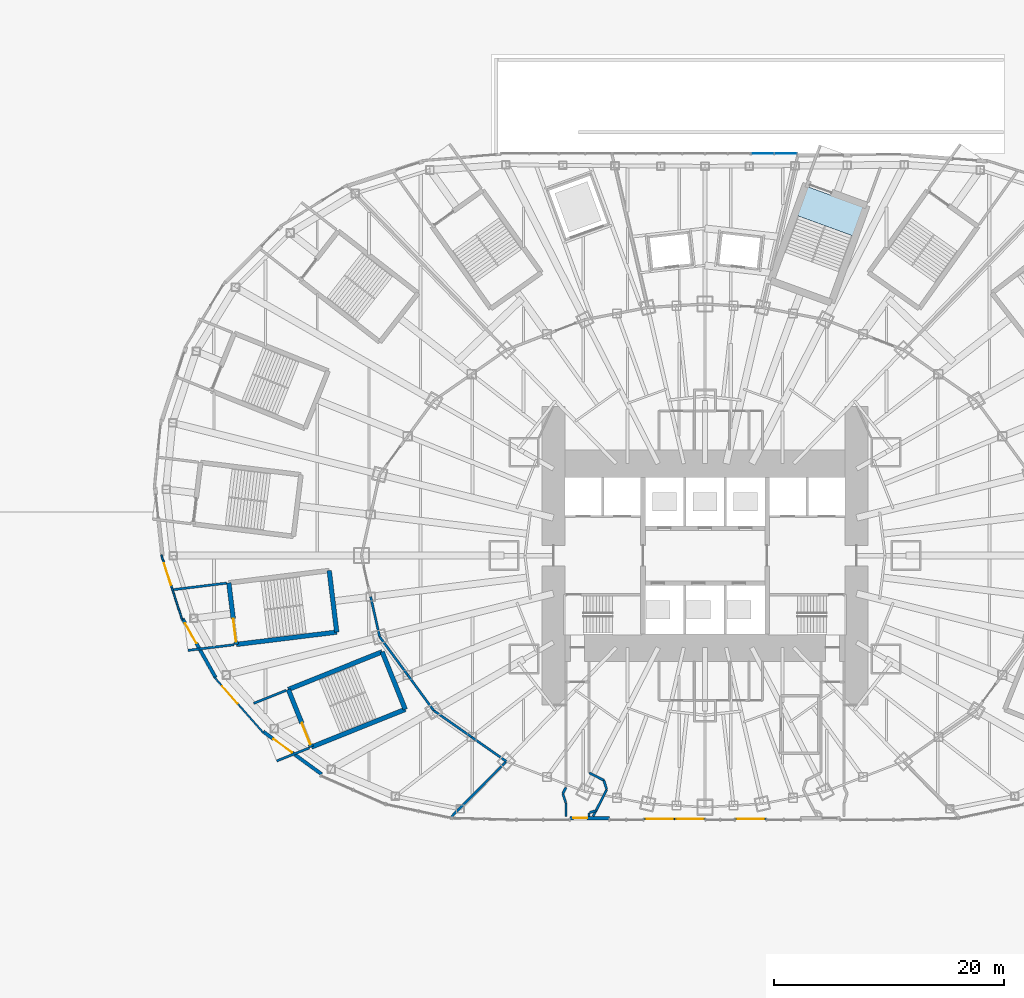
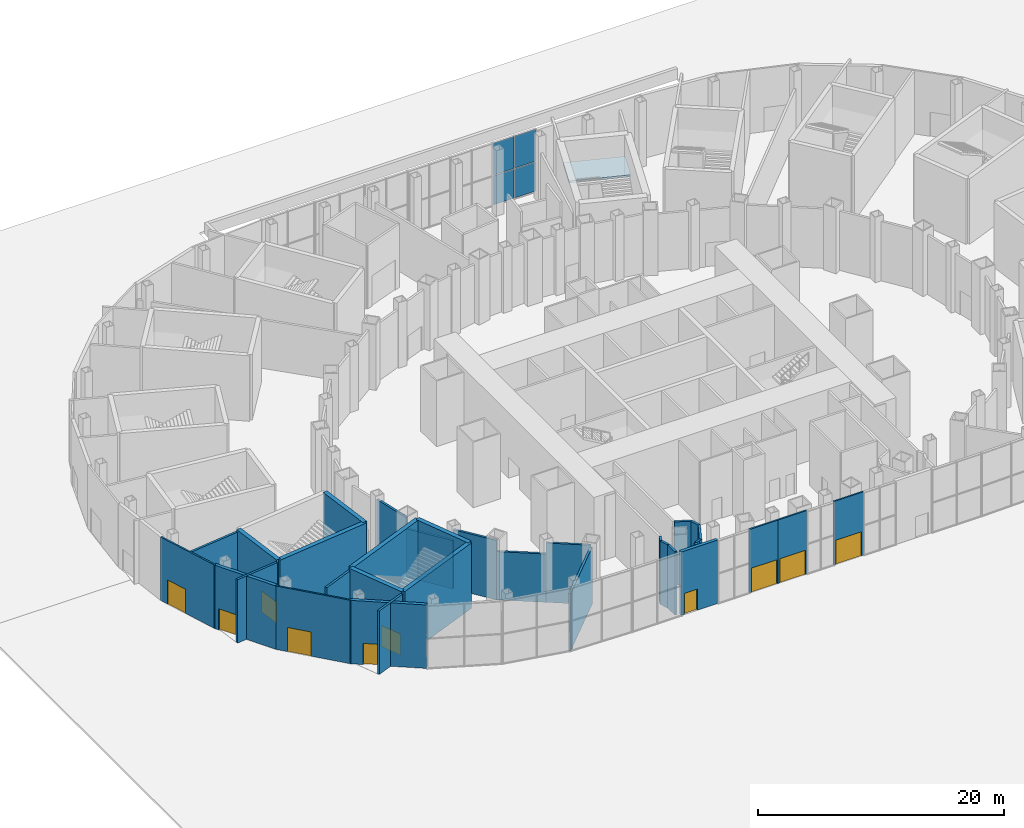
# One storey, part 16 of 47: 33 walls, 10 doors, 4 plates, 1 slab, 10 openings, 2 elements without a shape of their own.
"""IFC4 building model written with IfcOpenShell, lengths in metres."""

from ifc_helpers import new_model, si_unit, direction, frame, frame_2d, origin, origin_2d, place, context, subcontext, project, spatial, polyline, rectangle, outline, extrude, material, layer, layer_set, type_object, element, fill, aggregate, save


model = new_model("IFC4")

# Units and contexts
model_context = context("Model", 3, precision=1e-05, world=origin(), true_north=direction((0.0, 1.0)))
body_context = subcontext(model_context, "Body", "Model", "MODEL_VIEW")
ifc_project = project(units=[si_unit("LENGTHUNIT", "METRE"), si_unit("AREAUNIT", "SQUARE_METRE"), si_unit("VOLUMEUNIT", "CUBIC_METRE"), si_unit("PLANEANGLEUNIT", "RADIAN"), si_unit("MASSUNIT", "GRAM", prefix="KILO")], contexts=[model_context])

# Site, building, storey
site_placement = place(None, origin())
site = spatial("IfcSite", under=ifc_project, at=site_placement, CompositionType="ELEMENT")
building_placement = place(site_placement, origin())
building = spatial("IfcBuilding", under=site, at=building_placement, Name="Lantaw Convention Tower", CompositionType="ELEMENT")
storey_placement = place(building_placement, origin())
storey = spatial("IfcBuildingStorey", under=building, at=storey_placement, Name="L00", CompositionType="ELEMENT", Elevation=0.0)

# Curtain wall, plates
ifc_material_1 = material(Name="Aluminium framed curtain wall", Category="aluminium")
curtain_wall_type = type_object("IfcCurtainWallType", Name="Podium storefront curtain wall, pale aluminium", PredefinedType="USERDEFINED", material=ifc_material_1)
curtain_wall_placement = place(storey_placement, origin())
curtain_wall = element("IfcCurtainWall", 1, at=curtain_wall_placement, inside=storey, type_object=curtain_wall_type, Name="Podium storefront curtain wall, pale aluminium L00", ObjectType="STOREFRONT", PredefinedType="USERDEFINED")
ifc_material_2 = material(Name="Laminated clear glass", Category="glass")
ifc_layer_1 = layer(ifc_material_2, 0.031982421875)
ifc_layer_set_1 = layer_set([ifc_layer_1], Name="CW-P panel 32")
plate_type = type_object("IfcPlateType", Name="CW-P panel 32", PredefinedType="CURTAIN_PANEL", material=ifc_layer_set_1)
plate_1_placement = place(storey_placement, frame((7.037109375, 35.0, 0.080078125), z_axis=(0.0, 0.0, 1.0), x_axis=(-1.0, 0.0, 0.0)))
plate_1 = element("IfcPlate", 2, at=plate_1_placement, type_object=plate_type, Name="CW-P panel 1.1", PredefinedType="CURTAIN_PANEL", context=body_context, shape_type="SweptSolid", body=[
    extrude(rectangle(XDim=1.92626953125, YDim=0.031982421875, at=origin_2d()), origin(), (0.0, 0.0, 1.0), 2.8798828125),
])
plate_2_placement = place(storey_placement, frame((7.037109375, 35.0, 3.0400390625), z_axis=(0.0, 0.0, 1.0), x_axis=(-1.0, 0.0, 0.0)))
plate_2 = element("IfcPlate", 3, at=plate_2_placement, type_object=plate_type, Name="CW-P panel 1.2", PredefinedType="CURTAIN_PANEL", context=body_context, shape_type="SweptSolid", body=[
    extrude(rectangle(XDim=1.92626953125, YDim=0.031982421875, at=origin_2d()), origin(), (0.0, 0.0, 1.0), 3.179931640625),
])
plate_3_placement = place(storey_placement, frame((5.031005859375, 35.0, 0.080078125), z_axis=(0.0, 0.0, 1.0), x_axis=(-1.0, 0.0, 0.0)))
plate_3 = element("IfcPlate", 4, at=plate_3_placement, type_object=plate_type, Name="CW-P panel 2.1", PredefinedType="CURTAIN_PANEL", context=body_context, shape_type="SweptSolid", body=[
    extrude(rectangle(XDim=1.92626953125, YDim=0.031982421875, at=origin_2d()), origin(), (0.0, 0.0, 1.0), 2.8798828125),
])
plate_4_placement = place(storey_placement, frame((5.031005859375, 35.0, 3.0400390625), z_axis=(0.0, 0.0, 1.0), x_axis=(-1.0, 0.0, 0.0)))
plate_4 = element("IfcPlate", 5, at=plate_4_placement, type_object=plate_type, Name="CW-P panel 2.2", PredefinedType="CURTAIN_PANEL", context=body_context, shape_type="SweptSolid", body=[
    extrude(rectangle(XDim=1.92626953125, YDim=0.031982421875, at=origin_2d()), origin(), (0.0, 0.0, 1.0), 3.179931640625),
])
aggregate(curtain_wall, [plate_1, plate_2, plate_3, plate_4])

# Stair, slab
ifc_material_3 = material(Name="Concrete C35/45", Category="concrete")
stair_type = type_object("IfcStairType", Name="Exit stair 2400 riser 166.67 in 3 flights", PredefinedType="HALF_TURN_STAIR", material=ifc_material_3)
stair_placement = place(storey_placement, origin())
stair = element("IfcStair", 6, at=stair_placement, inside=storey, type_object=stair_type, Name="Podium exit stair P5 L00", PredefinedType="HALF_TURN_STAIR")
ifc_layer_2 = layer(ifc_material_3, 0.199951171875)
ifc_layer_set_2 = layer_set([ifc_layer_2], Name="Stair landing 200")
slab_type = type_object("IfcSlabType", Name="Stair landing 200", PredefinedType="LANDING", material=ifc_layer_set_2)
slab_placement = place(storey_placement, frame((0.0, 0.0, 4.13330078125)))
slab = element("IfcSlab", 7, at=slab_placement, type_object=slab_type, Name="P5 landing 2", PredefinedType="LANDING", context=body_context, shape_type="SweptSolid", body=[
    extrude(outline(polyline([(12.87451171875, 27.8291015625), (13.788330078125, 30.340087890625), (8.939697265625, 32.104736328125), (8.025634765625, 29.593994140625), (12.87451171875, 27.8291015625)])), origin(), (0.0, 0.0, 1.0), 0.199951171875),
])
aggregate(stair, [slab])

# Walls
ifc_material_4 = material(Name="Concrete blockwork, fire rated", Category="masonry")
ifc_layer_3 = layer(ifc_material_4, 0.199951171875)
ifc_layer_set_3 = layer_set([ifc_layer_3], Name="Exit passage wall 200 EI 120")
wall_type_1 = type_object("IfcWallType", Name="Exit passage wall 200 EI 120", PredefinedType="SOLIDWALL", material=ifc_layer_set_3)
wall_1_placement = place(storey_placement, frame((-12.10009765625, -21.53466796875, 0.0), z_axis=(0.0, 0.0, 1.0), x_axis=(0.0, -1.0, 0.0)))
element("IfcWall", 8, at=wall_1_placement, inside=storey, type_object=wall_type_1, Name="Exit passage wall 200", PredefinedType="SOLIDWALL", context=body_context, shape_type="SweptSolid", body=[
    extrude(rectangle(XDim=1.165283203125, YDim=0.199951171875, at=frame_2d((0.58251953125, 0.0))), origin(), (0.0, 0.0, 1.0), 6.300048828125),
])
wall_2_placement = place(storey_placement, frame((-10.10009765625, -22.699951171875, 0.0), z_axis=(0.0, 0.0, 1.0), x_axis=(0.0, 1.0, 0.0)))
element("IfcWall", 9, at=wall_2_placement, inside=storey, type_object=wall_type_1, Name="Exit passage wall 200", PredefinedType="SOLIDWALL", context=body_context, shape_type="SweptSolid", body=[
    extrude(rectangle(XDim=0.303466796875, YDim=0.199951171875, at=frame_2d((0.15185546875, 0.0))), origin(), (0.0, 0.0, 1.0), 6.300048828125),
])
wall_3_placement = place(storey_placement, frame((-12.1171875, -21.504638671875, 0.0), z_axis=(0.0, 0.0, 1.0), x_axis=(-0.308775894508, 0.951134820607, 0.0)))
element("IfcWall", 10, at=wall_3_placement, inside=storey, type_object=wall_type_1, Name="Exit passage wall 200", PredefinedType="SOLIDWALL", context=body_context, shape_type="SweptSolid", body=[
    extrude(rectangle(XDim=0.83642578125, YDim=0.199951171875, at=frame_2d((0.418212890625, 0.0))), origin(), (0.0, 0.0, 1.0), 6.300048828125),
])
wall_4_placement = place(storey_placement, frame((-12.37548828125, -20.708984375, 0.0), z_axis=(0.0, 0.0, 1.0), x_axis=(0.454060346632, 0.89097093197, 0.0)))
element("IfcWall", 11, at=wall_4_placement, inside=storey, type_object=wall_type_1, Name="Exit passage wall 200", PredefinedType="SOLIDWALL", context=body_context, shape_type="SweptSolid", body=[
    extrude(rectangle(XDim=0.597900390625, YDim=0.199951171875, at=frame_2d((0.298828125, 0.0))), origin(), (0.0, 0.0, 1.0), 6.300048828125),
])
wall_5_placement = place(storey_placement, frame((-10.063232421875, -18.91357421875, 0.0), z_axis=(0.0, 0.0, 1.0), x_axis=(0.890958554587, -0.454084633089, 0.0)))
element("IfcWall", 12, at=wall_5_placement, inside=storey, type_object=wall_type_1, Name="Exit passage wall 200", PredefinedType="SOLIDWALL", context=body_context, shape_type="SweptSolid", body=[
    extrude(rectangle(XDim=1.404296875, YDim=0.199951171875, at=frame_2d((0.7021484375, 0.0))), origin(), (0.0, 0.0, 1.0), 6.300048828125),
])
wall_6_placement = place(storey_placement, frame((-8.81201171875, -19.55126953125, 0.0), z_axis=(0.0, 0.0, 1.0), x_axis=(0.309144594925, -0.951015046899, 0.0)))
element("IfcWall", 13, at=wall_6_placement, inside=storey, type_object=wall_type_1, Name="Exit passage wall 200", PredefinedType="SOLIDWALL", context=body_context, shape_type="SweptSolid", body=[
    extrude(rectangle(XDim=0.848876953125, YDim=0.199951171875, at=frame_2d((0.42431640625, 0.0))), origin(), (0.0, 0.0, 1.0), 6.300048828125),
])
wall_7_placement = place(storey_placement, frame((-8.549560546875, -20.358642578125, 0.0), z_axis=(0.0, 0.0, 1.0), x_axis=(-0.453979075462, -0.891012345056, 0.0)))
element("IfcWall", 14, at=wall_7_placement, inside=storey, type_object=wall_type_1, Name="Exit passage wall 200", PredefinedType="SOLIDWALL", context=body_context, shape_type="SweptSolid", body=[
    extrude(rectangle(XDim=2.607666015625, YDim=0.199951171875, at=frame_2d((1.3037109375, 0.0))), origin(), (0.0, 0.0, 1.0), 6.300048828125),
])
wall_8_placement = place(storey_placement, frame((-9.479736328125, -22.1845703125, 0.0), z_axis=(0.0, 0.0, 1.0), x_axis=(-0.951018841362, -0.309132921855, 0.0)))
element("IfcWall", 15, at=wall_8_placement, inside=storey, type_object=wall_type_1, Name="Exit passage wall 200", PredefinedType="SOLIDWALL", context=body_context, shape_type="SweptSolid", body=[
    extrude(rectangle(XDim=0.589111328125, YDim=0.199951171875, at=frame_2d((0.29443359375, 0.0))), origin(), (0.0, 0.0, 1.0), 6.300048828125),
])
ifc_layer_4 = layer(ifc_material_4, 0.199951171875)
ifc_layer_set_4 = layer_set([ifc_layer_4], Name="Exit vestibule wall 200 EI 120")
wall_type_2 = type_object("IfcWallType", Name="Exit vestibule wall 200 EI 120", PredefinedType="SOLIDWALL", material=ifc_layer_set_4)
wall_9_placement = place(storey_placement, frame((-41.6416015625, -2.392578125, 0.0), z_axis=(0.0, 0.0, 1.0), x_axis=(-0.992541109885, -0.121910398198, 0.0)))
element("IfcWall", 16, at=wall_9_placement, inside=storey, type_object=wall_type_2, Name="Exit vestibule wall 200", PredefinedType="SOLIDWALL", context=body_context, shape_type="SweptSolid", body=[
    extrude(rectangle(XDim=4.64013671875, YDim=0.199951171875, at=frame_2d((2.320068359375, 0.0))), origin(), (0.0, 0.0, 1.0), 6.300048828125),
])
wall_10_placement = place(storey_placement, frame((-40.9833984375, -7.75244140625, 0.0), z_axis=(0.0, 0.0, 1.0), x_axis=(-0.992543583225, -0.121890259659, 0.0)))
element("IfcWall", 17, at=wall_10_placement, inside=storey, type_object=wall_type_2, Name="Exit vestibule wall 200", PredefinedType="SOLIDWALL", context=body_context, shape_type="SweptSolid", body=[
    extrude(rectangle(XDim=4.050048828125, YDim=0.199951171875, at=frame_2d((2.02490234375, 0.0))), origin(), (0.0, 0.0, 1.0), 6.300048828125),
])
for number, where, z_axis, x_axis, name in (
    (18, (-36.45068359375, -11.723388671875, 0.0), (0.0, 0.0, 1.0), (-0.928023341939, -0.372522048765, 0.0), "Exit vestibule wall 200"),
    (19, (-34.43896484375, -16.734619140625, 0.0), (0.0, 0.0, 1.0), (-0.928023341939, -0.372522048765, 0.0), "Exit vestibule wall 200"),
):
    element("IfcWall", number, at=place(storey_placement, frame(where, z_axis=z_axis, x_axis=x_axis)), inside=storey, type_object=wall_type_2, Name=name, PredefinedType="SOLIDWALL", context=body_context, shape_type="SweptSolid", body=[
        extrude(rectangle(XDim=3.050048828125, YDim=0.199951171875, at=frame_2d((1.52490234375, 0.0))), origin(), (0.0, 0.0, 1.0), 6.300048828125),
    ])

# Wall, opening, door
ifc_material_5 = material(Name="Aluminium framed glazing", Category="aluminium")
ifc_layer_5 = layer(ifc_material_5, 0.14990234375)
ifc_layer_set_5 = layer_set([ifc_layer_5], Name="Glazed entrance screen 150")
wall_type_3 = type_object("IfcWallType", Name="Glazed entrance screen 150", PredefinedType="ELEMENTEDWALL", material=ifc_layer_set_5)
wall_11_placement = place(storey_placement, frame((-47.313232421875, 0.06103515625, 0.0), z_axis=(0.0, 0.0, 1.0), x_axis=(0.304942287358, -0.952370831862, 0.0)))
wall_11 = element("IfcWall", 20, at=wall_11_placement, inside=storey, type_object=wall_type_3, Name="Glazed entrance screen", PredefinedType="ELEMENTEDWALL", context=body_context, shape_type="SweptSolid", body=[
    extrude(rectangle(XDim=5.95654296875, YDim=0.14990234375, at=frame_2d((2.978271484375, 0.0))), origin(), (0.0, 0.0, 1.0), 6.300048828125),
])
opening_1_placement = place(wall_11_placement, frame((0.75, 0.0, 0.0)))
opening_1 = element("IfcOpeningElement", 21, at=opening_1_placement, cuts=wall_11, Name="Opening L00.X24", PredefinedType="OPENING", context=body_context, shape_type="SweptSolid", body=[
    extrude(rectangle(XDim=2.0, YDim=2.39990234375, at=frame_2d((1.0, 1.199951171875))), frame((0.0, 0.0849609375, 0.0), z_axis=(0.0, -1.0, 0.0), x_axis=(1.0, 0.0, 0.0)), (0.0, 0.0, 1.0), 0.169921875),
])
ifc_material_6 = material(Name="Aluminium and glass", Category="aluminium")
door_type_1 = type_object("IfcDoorType", Name="Entrance double door 2000", OperationType="DOUBLE_DOOR_DOUBLE_SWING", PredefinedType="DOOR", material=ifc_material_6)
door_1_placement = place(opening_1_placement, origin())
door_1 = element("IfcDoor", 22, at=door_1_placement, inside=storey, type_object=door_type_1, Name="Entrance", OperationType="DOUBLE_DOOR_DOUBLE_SWING", OverallHeight=2.39990234375, OverallWidth=2.0, PredefinedType="DOOR", context=body_context, shape_type="SweptSolid", body=[
    extrude(rectangle(XDim=2.0, YDim=2.39990234375, at=frame_2d((1.0, 1.199951171875))), frame((0.0, 0.02490234375, 0.0), z_axis=(0.0, -1.0, 0.0), x_axis=(1.0, 0.0, 0.0)), (0.0, 0.0, 1.0), 0.050048828125),
])
fill(opening_1, door_1)

wall_12_placement = place(storey_placement, frame((-42.709716796875, -10.57666015625, 0.0), z_axis=(0.0, 0.0, 1.0), x_axis=(0.661196672464, -0.75021261008, 0.0)))
wall_12 = element("IfcWall", 23, at=wall_12_placement, inside=storey, type_object=wall_type_3, Name="Glazed entrance screen", PredefinedType="ELEMENTEDWALL", context=body_context, shape_type="SweptSolid", body=[
    extrude(rectangle(XDim=6.48095703125, YDim=0.14990234375, at=frame_2d((3.240478515625, 0.0))), origin(), (0.0, 0.0, 1.0), 6.300048828125),
])
opening_2_placement = place(wall_12_placement, frame((1.050048828125, 0.0, 0.0)))
opening_2 = element("IfcOpeningElement", 24, at=opening_2_placement, cuts=wall_12, Name="Opening L00.X26", PredefinedType="OPENING", context=body_context, shape_type="SweptSolid", body=[
    extrude(rectangle(XDim=2.0, YDim=2.39990234375, at=frame_2d((1.0, 1.199951171875))), frame((0.0, 0.0849609375, 0.0), z_axis=(0.0, -1.0, 0.0), x_axis=(1.0, 0.0, 0.0)), (0.0, 0.0, 1.0), 0.169921875),
])
door_2_placement = place(opening_2_placement, origin())
door_2 = element("IfcDoor", 25, at=door_2_placement, inside=storey, type_object=door_type_1, Name="Entrance", OperationType="DOUBLE_DOOR_DOUBLE_SWING", OverallHeight=2.39990234375, OverallWidth=2.0, PredefinedType="DOOR", context=body_context, shape_type="SweptSolid", body=[
    extrude(rectangle(XDim=2.0, YDim=2.39990234375, at=frame_2d((1.0, 1.199951171875))), frame((0.0, 0.02490234375, 0.0), z_axis=(0.0, -1.0, 0.0), x_axis=(1.0, 0.0, 0.0)), (0.0, 0.0, 1.0), 0.050048828125),
])
fill(opening_2, door_2)

wall_13_placement = place(storey_placement, frame((-5.349853515625, -22.925048828125, 0.0), z_axis=(0.0, 0.0, 1.0), x_axis=(1.0, 0.0, 0.0)))
wall_13 = element("IfcWall", 26, at=wall_13_placement, inside=storey, type_object=wall_type_3, Name="Glazed entrance screen", PredefinedType="ELEMENTEDWALL", context=body_context, shape_type="SweptSolid", body=[
    extrude(rectangle(XDim=2.769287109375, YDim=0.14990234375, at=frame_2d((1.384765625, 0.0))), origin(), (0.0, 0.0, 1.0), 6.300048828125),
])
opening_3_placement = place(wall_13_placement, frame((0.184814453125, 0.0, 0.0)))
opening_3 = element("IfcOpeningElement", 27, at=opening_3_placement, cuts=wall_13, Name="Opening L00.X34", PredefinedType="OPENING", context=body_context, shape_type="SweptSolid", body=[
    extrude(rectangle(XDim=2.39990234375, YDim=2.39990234375, at=frame_2d((1.199951171875, 1.199951171875))), frame((0.0, 0.0849609375, 0.0), z_axis=(0.0, -1.0, 0.0), x_axis=(1.0, 0.0, 0.0)), (0.0, 0.0, 1.0), 0.169921875),
])
door_type_2 = type_object("IfcDoorType", Name="Main entrance double door 2400", OperationType="DOUBLE_DOOR_DOUBLE_SWING", PredefinedType="DOOR", material=ifc_material_6)
door_3_placement = place(opening_3_placement, frame((2.39990234375, 0.0, 0.0), z_axis=(0.0, 0.0, 1.0), x_axis=(-1.0, 0.0, 0.0)))
door_3 = element("IfcDoor", 28, at=door_3_placement, inside=storey, type_object=door_type_2, Name="Main entrance", OperationType="DOUBLE_DOOR_SINGLE_SWING", OverallHeight=2.39990234375, OverallWidth=2.39990234375, PredefinedType="DOOR", context=body_context, shape_type="SweptSolid", body=[
    extrude(rectangle(XDim=2.39990234375, YDim=2.39990234375, at=frame_2d((1.199951171875, 1.199951171875))), frame((0.0, 0.02490234375, 0.0), z_axis=(0.0, -1.0, 0.0), x_axis=(1.0, 0.0, 0.0)), (0.0, 0.0, 1.0), 0.050048828125),
])
fill(opening_3, door_3)

wall_14_placement = place(storey_placement, frame((-2.660400390625, -22.925048828125, 0.0), z_axis=(0.0, 0.0, 1.0), x_axis=(1.0, 0.0, 0.0)))
wall_14 = element("IfcWall", 29, at=wall_14_placement, inside=storey, type_object=wall_type_3, Name="Glazed entrance screen", PredefinedType="ELEMENTEDWALL", context=body_context, shape_type="SweptSolid", body=[
    extrude(rectangle(XDim=2.700439453125, YDim=0.14990234375, at=frame_2d((1.35009765625, 0.0))), origin(), (0.0, 0.0, 1.0), 6.300048828125),
])
opening_4_placement = place(wall_14_placement, frame((0.150390625, 0.0, 0.0)))
opening_4 = element("IfcOpeningElement", 30, at=opening_4_placement, cuts=wall_14, Name="Opening L00.X35", PredefinedType="OPENING", context=body_context, shape_type="SweptSolid", body=[
    extrude(rectangle(XDim=2.39990234375, YDim=2.39990234375, at=frame_2d((1.199951171875, 1.199951171875))), frame((0.0, 0.0849609375, 0.0), z_axis=(0.0, -1.0, 0.0), x_axis=(1.0, 0.0, 0.0)), (0.0, 0.0, 1.0), 0.169921875),
])
door_4_placement = place(opening_4_placement, frame((2.39990234375, 0.0, 0.0), z_axis=(0.0, 0.0, 1.0), x_axis=(-1.0, 0.0, 0.0)))
door_4 = element("IfcDoor", 31, at=door_4_placement, inside=storey, type_object=door_type_2, Name="Main entrance", OperationType="DOUBLE_DOOR_SINGLE_SWING", OverallHeight=2.39990234375, OverallWidth=2.39990234375, PredefinedType="DOOR", context=body_context, shape_type="SweptSolid", body=[
    extrude(rectangle(XDim=2.39990234375, YDim=2.39990234375, at=frame_2d((1.199951171875, 1.199951171875))), frame((0.0, 0.02490234375, 0.0), z_axis=(0.0, -1.0, 0.0), x_axis=(1.0, 0.0, 0.0)), (0.0, 0.0, 1.0), 0.050048828125),
])
fill(opening_4, door_4)

wall_15_placement = place(storey_placement, frame((2.58056640625, -22.925048828125, 0.0), z_axis=(0.0, 0.0, 1.0), x_axis=(1.0, 0.0, 0.0)))
wall_15 = element("IfcWall", 32, at=wall_15_placement, inside=storey, type_object=wall_type_3, Name="Glazed entrance screen", PredefinedType="ELEMENTEDWALL", context=body_context, shape_type="SweptSolid", body=[
    extrude(rectangle(XDim=2.769287109375, YDim=0.14990234375, at=frame_2d((1.384765625, 0.0))), origin(), (0.0, 0.0, 1.0), 6.300048828125),
])
opening_5_placement = place(wall_15_placement, frame((0.184814453125, 0.0, 0.0)))
opening_5 = element("IfcOpeningElement", 33, at=opening_5_placement, cuts=wall_15, Name="Opening L00.X37", PredefinedType="OPENING", context=body_context, shape_type="SweptSolid", body=[
    extrude(rectangle(XDim=2.39990234375, YDim=2.39990234375, at=frame_2d((1.199951171875, 1.199951171875))), frame((0.0, 0.0849609375, 0.0), z_axis=(0.0, -1.0, 0.0), x_axis=(1.0, 0.0, 0.0)), (0.0, 0.0, 1.0), 0.169921875),
])
door_5_placement = place(opening_5_placement, frame((2.39990234375, 0.0, 0.0), z_axis=(0.0, 0.0, 1.0), x_axis=(-1.0, 0.0, 0.0)))
door_5 = element("IfcDoor", 34, at=door_5_placement, inside=storey, type_object=door_type_2, Name="Main entrance", OperationType="DOUBLE_DOOR_SINGLE_SWING", OverallHeight=2.39990234375, OverallWidth=2.39990234375, PredefinedType="DOOR", context=body_context, shape_type="SweptSolid", body=[
    extrude(rectangle(XDim=2.39990234375, YDim=2.39990234375, at=frame_2d((1.199951171875, 1.199951171875))), frame((0.0, 0.02490234375, 0.0), z_axis=(0.0, -1.0, 0.0), x_axis=(1.0, 0.0, 0.0)), (0.0, 0.0, 1.0), 0.050048828125),
])
fill(opening_5, door_5)

ifc_material_7 = material(Name="Precast concrete panel, pale aluminium rainscreen", Category="concrete")
ifc_layer_6 = layer(ifc_material_7, 0.300048828125)
ifc_layer_set_6 = layer_set([ifc_layer_6], Name="Podium external wall 300")
wall_type_4 = type_object("IfcWallType", Name="Podium external wall 300", PredefinedType="SOLIDWALL", material=ifc_layer_set_6)
wall_16_placement = place(storey_placement, frame((-45.46923828125, -5.48828125, 0.0), z_axis=(0.0, 0.0, 1.0), x_axis=(0.489563544979, -0.871967622924, 0.0)))
wall_16 = element("IfcWall", 35, at=wall_16_placement, inside=storey, type_object=wall_type_4, Name="Podium facade wall", PredefinedType="SOLIDWALL", context=body_context, shape_type="SweptSolid", body=[
    extrude(rectangle(XDim=5.882568359375, YDim=0.300048828125, at=frame_2d((2.94140625, 0.0))), origin(), (0.0, 0.0, 1.0), 6.300048828125),
])
opening_6_placement = place(wall_16_placement, frame((0.449951171875, 0.0, 0.0)))
opening_6 = element("IfcOpeningElement", 36, at=opening_6_placement, cuts=wall_16, Name="Opening L00.X25", PredefinedType="OPENING", context=body_context, shape_type="SweptSolid", body=[
    extrude(rectangle(XDim=2.0, YDim=2.10009765625, at=frame_2d((1.0, 1.050048828125))), frame((0.0, 0.159912109375, 0.0), z_axis=(0.0, -1.0, 0.0), x_axis=(1.0, 0.0, 0.0)), (0.0, 0.0, 1.0), 0.320068359375),
])
door_type_3 = type_object("IfcDoorType", Name="Exit double door 2000", OperationType="DOUBLE_DOOR_DOUBLE_SWING", PredefinedType="DOOR", material=ifc_material_6)
door_6_placement = place(opening_6_placement, frame((2.0, 0.0, 0.0), z_axis=(0.0, 0.0, 1.0), x_axis=(-1.0, 0.0, 0.0)))
door_6 = element("IfcDoor", 37, at=door_6_placement, inside=storey, type_object=door_type_3, Name="Exit door", OperationType="DOUBLE_DOOR_SINGLE_SWING", OverallHeight=2.10009765625, OverallWidth=2.0, PredefinedType="DOOR", context=body_context, shape_type="SweptSolid", body=[
    extrude(rectangle(XDim=2.0, YDim=2.10009765625, at=frame_2d((1.0, 1.050048828125))), frame((0.0, 0.02490234375, 0.0), z_axis=(0.0, -1.0, 0.0), x_axis=(1.0, 0.0, 0.0)), (0.0, 0.0, 1.0), 0.050048828125),
])
fill(opening_6, door_6)

wall_17_placement = place(storey_placement, frame((-38.451171875, -15.313720703125, 0.0), z_axis=(0.0, 0.0, 1.0), x_axis=(0.807903497184, -0.589314804868, 0.0)))
wall_17 = element("IfcWall", 38, at=wall_17_placement, inside=storey, type_object=wall_type_4, Name="Podium facade wall", PredefinedType="SOLIDWALL", context=body_context, shape_type="SweptSolid", body=[
    extrude(rectangle(XDim=6.30810546875, YDim=0.300048828125, at=frame_2d((3.154052734375, 0.0))), origin(), (0.0, 0.0, 1.0), 6.300048828125),
])
opening_7_placement = place(wall_17_placement, frame((1.10009765625, 0.0, 0.0)))
opening_7 = element("IfcOpeningElement", 39, at=opening_7_placement, cuts=wall_17, Name="Opening L00.X27", PredefinedType="OPENING", context=body_context, shape_type="SweptSolid", body=[
    extrude(rectangle(XDim=2.0, YDim=2.10009765625, at=frame_2d((1.0, 1.050048828125))), frame((0.0, 0.159912109375, 0.0), z_axis=(0.0, -1.0, 0.0), x_axis=(1.0, 0.0, 0.0)), (0.0, 0.0, 1.0), 0.320068359375),
])
door_7_placement = place(opening_7_placement, origin())
door_7 = element("IfcDoor", 40, at=door_7_placement, inside=storey, type_object=door_type_3, Name="Exit door", OperationType="DOUBLE_DOOR_DOUBLE_SWING", OverallHeight=2.10009765625, OverallWidth=2.0, PredefinedType="DOOR", context=body_context, shape_type="SweptSolid", body=[
    extrude(rectangle(XDim=2.0, YDim=2.10009765625, at=frame_2d((1.0, 1.050048828125))), frame((0.0, 0.02490234375, 0.0), z_axis=(0.0, -1.0, 0.0), x_axis=(1.0, 0.0, 0.0)), (0.0, 0.0, 1.0), 0.050048828125),
])
fill(opening_7, door_7)

wall_18_placement = place(storey_placement, frame((-11.759033203125, -22.85009765625, 0.0), z_axis=(0.0, 0.0, 1.0), x_axis=(1.0, 0.0, 0.0)))
wall_18 = element("IfcWall", 41, at=wall_18_placement, inside=storey, type_object=wall_type_4, Name="Podium facade wall", PredefinedType="SOLIDWALL", context=body_context, shape_type="SweptSolid", body=[
    extrude(rectangle(XDim=3.427734375, YDim=0.300048828125, at=frame_2d((1.7138671875, 0.0))), origin(), (0.0, 0.0, 1.0), 6.300048828125),
])
opening_8_placement = place(wall_18_placement, frame((0.30908203125, 0.0, 0.0)))
opening_8 = element("IfcOpeningElement", 42, at=opening_8_placement, cuts=wall_18, Name="Opening L00.X32", PredefinedType="OPENING", context=body_context, shape_type="SweptSolid", body=[
    extrude(rectangle(XDim=1.199951171875, YDim=2.10009765625, at=frame_2d((0.60009765625, 1.050048828125))), frame((0.0, 0.159912109375, 0.0), z_axis=(0.0, -1.0, 0.0), x_axis=(1.0, 0.0, 0.0)), (0.0, 0.0, 1.0), 0.320068359375),
])
door_type_4 = type_object("IfcDoorType", Name="Exit door 1200", OperationType="SINGLE_SWING_RIGHT", PredefinedType="DOOR", material=ifc_material_6)
door_8_placement = place(opening_8_placement, frame((1.199951171875, 0.0, 0.0), z_axis=(0.0, 0.0, 1.0), x_axis=(-1.0, 0.0, 0.0)))
door_8 = element("IfcDoor", 43, at=door_8_placement, inside=storey, type_object=door_type_4, Name="Exit passage door", OperationType="SINGLE_SWING_RIGHT", OverallHeight=2.10009765625, OverallWidth=1.199951171875, PredefinedType="DOOR", context=body_context, shape_type="SweptSolid", body=[
    extrude(rectangle(XDim=1.199951171875, YDim=2.10009765625, at=frame_2d((0.60009765625, 1.050048828125))), frame((0.0, 0.02490234375, 0.0), z_axis=(0.0, -1.0, 0.0), x_axis=(1.0, 0.0, 0.0)), (0.0, 0.0, 1.0), 0.050048828125),
])
fill(opening_8, door_8)

# Walls
ifc_material_8 = material(Name="Concrete blockwork", Category="masonry")
ifc_layer_7 = layer(ifc_material_8, 0.199951171875)
ifc_layer_set_7 = layer_set([ifc_layer_7], Name="Podium partition 200")
wall_type_5 = type_object("IfcWallType", Name="Podium partition 200", PredefinedType="SOLIDWALL", material=ifc_layer_set_7)
wall_19_placement = place(storey_placement, frame((-29.099365234375, -3.572998046875, 0.0), z_axis=(0.0, 0.0, 1.0), x_axis=(0.218673326171, -0.97579812278, 0.0)))
element("IfcWall", 44, at=wall_19_placement, inside=storey, type_object=wall_type_5, Name="Podium partition 200", PredefinedType="SOLIDWALL", context=body_context, shape_type="SweptSolid", body=[
    extrude(rectangle(XDim=3.57373046875, YDim=0.199951171875, at=frame_2d((1.786865234375, 0.0))), origin(), (0.0, 0.0, 1.0), 5.896240234375),
])
wall_20_placement = place(storey_placement, frame((-28.31787109375, -7.060302734375, 0.0), z_axis=(0.0, 0.0, 1.0), x_axis=(0.591255937291, -0.806483984105, 0.0)))
element("IfcWall", 45, at=wall_20_placement, inside=storey, type_object=wall_type_5, Name="Podium partition 200", PredefinedType="SOLIDWALL", context=body_context, shape_type="SweptSolid", body=[
    extrude(rectangle(XDim=4.126708984375, YDim=0.199951171875, at=frame_2d((2.0634765625, 0.0))), origin(), (0.0, 0.0, 1.0), 4.800048828125),
])
wall_21_placement = place(storey_placement, frame((-25.8779296875, -10.388427734375, 0.0), z_axis=(0.0, 0.0, 1.0), x_axis=(0.591286566758, -0.806461527893, 0.0)))
element("IfcWall", 46, at=wall_21_placement, inside=storey, type_object=wall_type_5, Name="Podium partition 200", PredefinedType="SOLIDWALL", context=body_context, shape_type="SweptSolid", body=[
    extrude(rectangle(XDim=3.843994140625, YDim=0.199951171875, at=frame_2d((1.921875, 0.0))), origin(), (0.0, 0.0, 1.0), 5.896240234375),
])
wall_22_placement = place(storey_placement, frame((-23.60498046875, -13.488525390625, 0.0), z_axis=(0.0, 0.0, 1.0), x_axis=(0.819442856133, -0.573160889744, 0.0)))
element("IfcWall", 47, at=wall_22_placement, inside=storey, type_object=wall_type_5, Name="Podium partition 200", PredefinedType="SOLIDWALL", context=body_context, shape_type="SweptSolid", body=[
    extrude(rectangle(XDim=4.022705078125, YDim=0.199951171875, at=frame_2d((2.01123046875, 0.0))), origin(), (0.0, 0.0, 1.0), 4.800048828125),
])
wall_23_placement = place(storey_placement, frame((-20.30859375, -15.794189453125, 0.0), z_axis=(0.0, 0.0, 1.0), x_axis=(0.819409395821, -0.573208724672, 0.0)))
element("IfcWall", 48, at=wall_23_placement, inside=storey, type_object=wall_type_5, Name="Podium partition 200", PredefinedType="SOLIDWALL", context=body_context, shape_type="SweptSolid", body=[
    extrude(rectangle(XDim=3.682861328125, YDim=0.199951171875, at=frame_2d((1.84130859375, 0.0))), origin(), (0.0, 0.0, 1.0), 5.896240234375),
])
wall_24_placement = place(storey_placement, frame((-17.290771484375, -17.9052734375, 0.0), z_axis=(0.0, 0.0, 1.0), x_axis=(-0.704323771284, -0.709878880658, 0.0)))
element("IfcWall", 49, at=wall_24_placement, inside=storey, type_object=wall_type_5, Name="Podium partition 200", PredefinedType="SOLIDWALL", context=body_context, shape_type="SweptSolid", body=[
    extrude(rectangle(XDim=6.85595703125, YDim=0.199951171875, at=frame_2d((3.427978515625, 0.0))), origin(), (0.0, 0.0, 1.0), 5.687744140625),
])

# Wall, opening, door
ifc_material_9 = material(Name="Concrete C40/50, stair core", Category="concrete")
ifc_layer_8 = layer(ifc_material_9, 0.39990234375)
ifc_layer_set_8 = layer_set([ifc_layer_8], Name="Stair enclosure wall 400 EI 120")
wall_type_6 = type_object("IfcWallType", Name="Stair enclosure wall 400 EI 120", PredefinedType="SHEAR", material=ifc_layer_set_8)
wall_25_placement = place(storey_placement, frame((-41.443115234375, -2.368408203125, 0.0), z_axis=(0.0, 0.0, 1.0), x_axis=(0.121892082937, -0.992543359314, 0.0)))
wall_25 = element("IfcWall", 50, at=wall_25_placement, inside=storey, type_object=wall_type_6, Name="Stair enclosure wall", PredefinedType="SHEAR", context=body_context, shape_type="SweptSolid", body=[
    extrude(rectangle(XDim=5.39990234375, YDim=0.39990234375, at=frame_2d((2.699951171875, 0.0))), origin(), (0.0, 0.0, 1.0), 6.5),
])
opening_9_placement = place(wall_25_placement, frame((3.14990234375, 0.0, 0.0)))
opening_9 = element("IfcOpeningElement", 51, at=opening_9_placement, cuts=wall_25, Name="Opening L00.P10X", PredefinedType="OPENING", context=body_context, shape_type="SweptSolid", body=[
    extrude(rectangle(XDim=2.0, YDim=2.10009765625, at=frame_2d((1.0, 1.050048828125))), frame((0.0, 0.2099609375, 0.0), z_axis=(0.0, -1.0, 0.0), x_axis=(1.0, 0.0, 0.0)), (0.0, 0.0, 1.0), 0.419921875),
])
ifc_material_10 = material(Name="Steel, fire rated", Category="steel")
door_type_5 = type_object("IfcDoorType", Name="Stair discharge double door 2000 FD90", OperationType="DOUBLE_DOOR_DOUBLE_SWING", PredefinedType="DOOR", material=ifc_material_10)
door_9_placement = place(opening_9_placement, origin())
door_9 = element("IfcDoor", 52, at=door_9_placement, inside=storey, type_object=door_type_5, Name="Exit stair discharge door", OperationType="DOUBLE_DOOR_DOUBLE_SWING", OverallHeight=2.10009765625, OverallWidth=2.0, PredefinedType="DOOR", context=body_context, shape_type="SweptSolid", body=[
    extrude(rectangle(XDim=2.0, YDim=2.10009765625, at=frame_2d((1.0, 1.050048828125))), frame((0.0, 0.02490234375, 0.0), z_axis=(0.0, -1.0, 0.0), x_axis=(1.0, 0.0, 0.0)), (0.0, 0.0, 1.0), 0.050048828125),
])
fill(opening_9, door_9)

# Walls
wall_26_placement = place(storey_placement, frame((-40.784912109375, -7.72802734375, 0.0), z_axis=(0.0, 0.0, 1.0), x_axis=(0.992545280606, 0.121876437212, 0.0)))
element("IfcWall", 53, at=wall_26_placement, inside=storey, type_object=wall_type_6, Name="Stair enclosure wall", PredefinedType="SHEAR", context=body_context, shape_type="SweptSolid", body=[
    extrude(rectangle(XDim=8.800048828125, YDim=0.39990234375, at=frame_2d((4.39990234375, 0.0))), origin(), (0.0, 0.0, 1.0), 6.5),
])
wall_27_placement = place(storey_placement, frame((-32.050537109375, -6.655517578125, 0.0), z_axis=(0.0, 0.0, 1.0), x_axis=(-0.12184754212, 0.99254882826, 0.0)))
element("IfcWall", 54, at=wall_27_placement, inside=storey, type_object=wall_type_6, Name="Stair enclosure wall", PredefinedType="SHEAR", context=body_context, shape_type="SweptSolid", body=[
    extrude(rectangle(XDim=5.39990234375, YDim=0.39990234375, at=frame_2d((2.699951171875, 0.0))), origin(), (0.0, 0.0, 1.0), 6.5),
])
wall_28_placement = place(storey_placement, frame((-28.0986328125, -8.37060546875, 0.0), z_axis=(0.0, 0.0, 1.0), x_axis=(-0.92801678004, -0.372538395288, 0.0)))
element("IfcWall", 55, at=wall_28_placement, inside=storey, type_object=wall_type_6, Name="Stair enclosure wall", PredefinedType="SHEAR", context=body_context, shape_type="SweptSolid", body=[
    extrude(rectangle(XDim=8.800048828125, YDim=0.39990234375, at=frame_2d((4.39990234375, 0.0))), origin(), (0.0, 0.0, 1.0), 6.5),
])

# Wall, opening, door
wall_29_placement = place(storey_placement, frame((-36.26513671875, -11.64892578125, 0.0), z_axis=(0.0, 0.0, 1.0), x_axis=(0.372544066459, -0.928014503414, 0.0)))
wall_29 = element("IfcWall", 56, at=wall_29_placement, inside=storey, type_object=wall_type_6, Name="Stair enclosure wall", PredefinedType="SHEAR", context=body_context, shape_type="SweptSolid", body=[
    extrude(rectangle(XDim=5.39990234375, YDim=0.39990234375, at=frame_2d((2.699951171875, 0.0))), origin(), (0.0, 0.0, 1.0), 6.5),
])
opening_10_placement = place(wall_29_placement, frame((3.14990234375, 0.0, 0.0)))
opening_10 = element("IfcOpeningElement", 57, at=opening_10_placement, cuts=wall_29, Name="Opening L00.P11X", PredefinedType="OPENING", context=body_context, shape_type="SweptSolid", body=[
    extrude(rectangle(XDim=2.0, YDim=2.10009765625, at=frame_2d((1.0, 1.050048828125))), frame((0.0, 0.2099609375, 0.0), z_axis=(0.0, -1.0, 0.0), x_axis=(1.0, 0.0, 0.0)), (0.0, 0.0, 1.0), 0.419921875),
])
door_10_placement = place(opening_10_placement, origin())
door_10 = element("IfcDoor", 58, at=door_10_placement, inside=storey, type_object=door_type_5, Name="Exit stair discharge door", OperationType="DOUBLE_DOOR_DOUBLE_SWING", OverallHeight=2.10009765625, OverallWidth=2.0, PredefinedType="DOOR", context=body_context, shape_type="SweptSolid", body=[
    extrude(rectangle(XDim=2.0, YDim=2.10009765625, at=frame_2d((1.0, 1.050048828125))), frame((0.0, 0.02490234375, 0.0), z_axis=(0.0, -1.0, 0.0), x_axis=(1.0, 0.0, 0.0)), (0.0, 0.0, 1.0), 0.050048828125),
])
fill(opening_10, door_10)

# Walls
wall_30_placement = place(storey_placement, frame((-34.25341796875, -16.66015625, 0.0), z_axis=(0.0, 0.0, 1.0), x_axis=(0.92801678004, 0.372538395288, 0.0)))
element("IfcWall", 59, at=wall_30_placement, inside=storey, type_object=wall_type_6, Name="Stair enclosure wall", PredefinedType="SHEAR", context=body_context, shape_type="SweptSolid", body=[
    extrude(rectangle(XDim=8.800048828125, YDim=0.39990234375, at=frame_2d((4.39990234375, 0.0))), origin(), (0.0, 0.0, 1.0), 6.5),
])
wall_31_placement = place(storey_placement, frame((-26.0869140625, -13.3818359375, 0.0), z_axis=(0.0, 0.0, 1.0), x_axis=(-0.372544066459, 0.928014503414, 0.0)))
element("IfcWall", 60, at=wall_31_placement, inside=storey, type_object=wall_type_6, Name="Stair enclosure wall", PredefinedType="SHEAR", context=body_context, shape_type="SweptSolid", body=[
    extrude(rectangle(XDim=5.39990234375, YDim=0.39990234375, at=frame_2d((2.699951171875, 0.0))), origin(), (0.0, 0.0, 1.0), 6.5),
])

save(model, "model.ifc")
